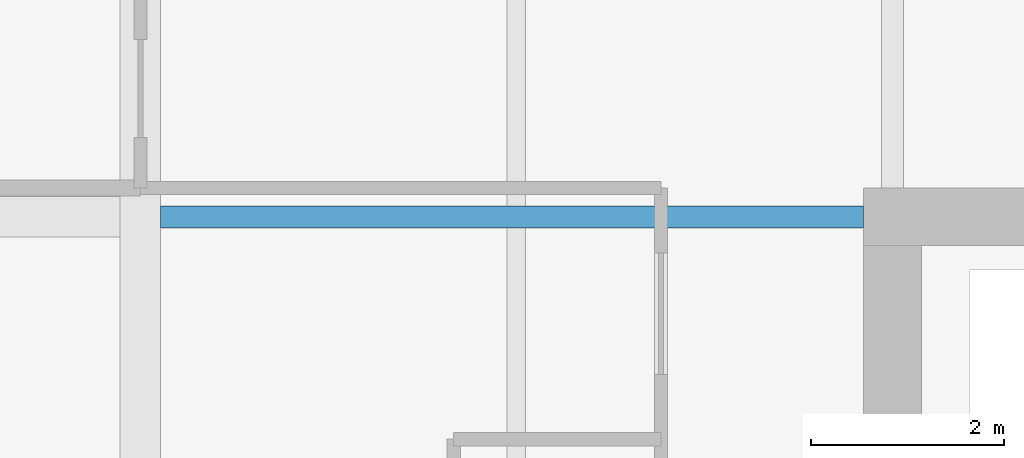
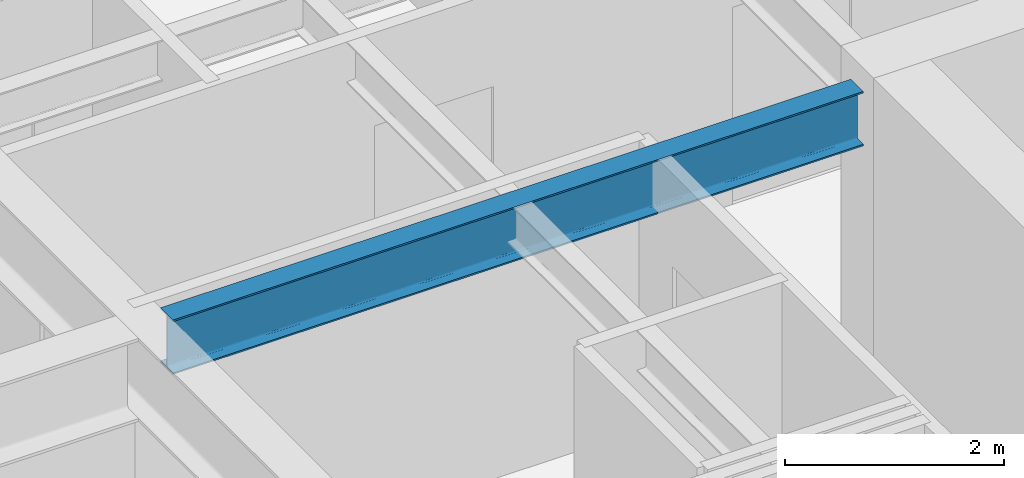
# One storey, part 18 of 38: 1 beam.
"""IFC4 building model written with IfcOpenShell, lengths in metres."""

import ifcopenshell
import ifcopenshell.guid

model = None  # the IFC model being written
_history = None  # IfcOwnerHistory: only IFC2X3 demands one
_inside = {}  # id of a spatial element -> (the spatial element, [elements in it])
_under = {}  # id of a project, library or spatial element -> (it, [spatial elements below it])
_declared = {}  # id of a project -> (the project, [libraries it declares])
_typed = {}  # id of a type object -> (the type object, [elements of that type])
_made_of = {}  # id of a material, layer set ... -> (it, [elements and type objects made of it])


def new_model(schema):
    """Start an empty IFC model of exactly this schema.

    Asked for "IFC4X3", IfcOpenShell would pick the latest addendum, in which some entities
    have other attributes; the version numbers below select the first issue.
    IFC2X3 requires an IfcOwnerHistory on every rooted entity: one is made here for all.
    """
    global model, _history
    if schema == "IFC4X3":
        model = ifcopenshell.file(schema_version=(4, 3, 0, 0))
    else:
        model = ifcopenshell.file(schema=schema)
    _inside.clear()
    _under.clear()
    _declared.clear()
    _typed.clear()
    _made_of.clear()
    _history = None
    if model.schema == "IFC2X3":
        org = make("IfcOrganization", Name="unknown")
        user = make(
            "IfcPersonAndOrganization",
            ThePerson=make("IfcPerson", FamilyName="unknown"),
            TheOrganization=org,
        )
        app = make(
            "IfcApplication",
            ApplicationDeveloper=org,
            Version="unknown",
            ApplicationFullName="unknown",
            ApplicationIdentifier="unknown",
        )
        _history = make(
            "IfcOwnerHistory",
            OwningUser=user,
            OwningApplication=app,
            ChangeAction="ADDED",
            CreationDate=0,
        )
    return model


def make(cls, **values):
    """One entity of the class cls with the attributes given. An attribute that is None is left unset."""
    return model.create_entity(
        cls, **{name: value for name, value in values.items() if value is not None}
    )


def rooted(cls, **values):
    """An entity with a GlobalId (a new one), such as an element, a storey or a relation."""
    return make(cls, GlobalId=ifcopenshell.guid.new(), OwnerHistory=_history, **values)


def si_unit(unit_type, name, prefix=None):
    """IfcSIUnit, for example si_unit("LENGTHUNIT", "METRE", prefix="MILLI")."""
    return make("IfcSIUnit", UnitType=unit_type, Prefix=prefix, Name=name)


def assignment(units):
    """IfcUnitAssignment: the units of a project."""
    return None if units is None else make("IfcUnitAssignment", Units=units)


def point(xyz):
    """IfcCartesianPoint."""
    return None if xyz is None else make("IfcCartesianPoint", Coordinates=xyz)


def direction(xyz):
    """IfcDirection."""
    return None if xyz is None else make("IfcDirection", DirectionRatios=xyz)


def frame(location, z_axis=None, x_axis=None):
    """IfcAxis2Placement3D, a coordinate frame: its origin and axes. An axis left out is left unset."""
    return make(
        "IfcAxis2Placement3D",
        Location=point(location),
        Axis=direction(z_axis),
        RefDirection=direction(x_axis),
    )


def frame_2d(location, x_axis=None):
    """IfcAxis2Placement2D, a coordinate frame in the plane: its origin and x axis."""
    return make(
        "IfcAxis2Placement2D", Location=point(location), RefDirection=direction(x_axis)
    )


def origin():
    """The frame at (0, 0, 0) with its axes left unset."""
    return frame((0.0, 0.0, 0.0))


def origin_2d():
    """The frame at (0, 0) in the plane with its x axis left unset."""
    return frame_2d((0.0, 0.0))


def place(relative_to, where):
    """IfcLocalPlacement: puts the frame where relative to a parent placement (None: the world)."""
    return make(
        "IfcLocalPlacement", PlacementRelTo=relative_to, RelativePlacement=where
    )


def context(
    kind, dimensions, precision=None, world=None, true_north=None, identifier=None
):
    """IfcGeometricRepresentationContext, for example the 3D "Model" context."""
    return make(
        "IfcGeometricRepresentationContext",
        ContextIdentifier=identifier,
        ContextType=kind,
        CoordinateSpaceDimension=dimensions,
        Precision=precision,
        WorldCoordinateSystem=world,
        TrueNorth=true_north,
    )


def subcontext(parent, identifier, kind, view, scale=None):
    """IfcGeometricRepresentationSubContext, for example "Body" below "Model"."""
    return make(
        "IfcGeometricRepresentationSubContext",
        ContextIdentifier=identifier,
        ContextType=kind,
        ParentContext=parent,
        TargetScale=scale,
        TargetView=view,
    )


def project(units=None, contexts=None):
    """IfcProject with its units and contexts."""
    return rooted(
        "IfcProject",
        Name="project",
        RepresentationContexts=contexts,
        UnitsInContext=assignment(units),
    )


def spatial(cls, under=None, at=None, **own):
    """A site, building, storey or space (cls), placed at a placement, below another one or the project."""
    s = rooted(cls, ObjectPlacement=at, **own)
    if under is not None:
        _under.setdefault(under.id(), (under, []))[1].append(s)
    return s


def profile(cls, at=None, kind="AREA", **sizes):
    """A parametric profile (cls). Its sizes go by their IFC names, for example OverallWidth=200.0."""
    return make(cls, ProfileType=kind, Position=at, **sizes)


def i_section(**sizes):
    """IfcIShapeProfileDef."""
    return profile("IfcIShapeProfileDef", **sizes)


def extrude(swept, where, along, depth):
    """IfcExtrudedAreaSolid: the profile swept, set in the frame where, extruded along a direction by depth."""
    return make(
        "IfcExtrudedAreaSolid",
        SweptArea=swept,
        Position=where,
        ExtrudedDirection=direction(along),
        Depth=depth,
    )


def shape(context_of_items, identifier, shape_type, items):
    """IfcShapeRepresentation: the items that make up one representation, for example the "Body"."""
    return make(
        "IfcShapeRepresentation",
        ContextOfItems=context_of_items,
        RepresentationIdentifier=identifier,
        RepresentationType=shape_type,
        Items=items,
    )


def material(Name=None, Category=None):
    """IfcMaterial."""
    return make("IfcMaterial", Name=Name, Category=Category)


def material_profile(
    of_material, cross_section, Name=None, Category=None, Priority=None
):
    """IfcMaterialProfile: a cross section and its material."""
    return make(
        "IfcMaterialProfile",
        Name=Name,
        Material=of_material,
        Profile=cross_section,
        Priority=Priority,
        Category=Category,
    )


def profile_set(profiles, Name=None, composite=None):
    """IfcMaterialProfileSet."""
    return make(
        "IfcMaterialProfileSet",
        Name=Name,
        MaterialProfiles=profiles,
        CompositeProfile=composite,
    )


def made_of(thing, what):
    """Note that an element or type object is made of a material, layer set ...; save() writes the relation."""
    if what is not None:
        _made_of.setdefault(what.id(), (what, []))[1].append(thing)
    return thing


def type_object(cls, material=None, **own):
    """A type object (cls), such as IfcWallType, which elements share."""
    return made_of(rooted(cls, **own), material)


def element(
    cls,
    number,
    at=None,
    inside=None,
    cuts=None,
    type_object=None,
    material=None,
    context=None,
    identifier="Body",
    shape_type=None,
    held_by="IfcProductDefinitionShape",
    body=None,
    shapes=None,
    **own,
):
    """One element of the class cls, such as IfcWall. Its Tag is "e" and its number.

    at: its placement. inside: the storey or other place that contains it. cuts: it is an
    opening in that element (IfcRelVoidsElement). A single representation is given by context,
    identifier, shape_type and body (its items); several are given by shapes. held_by: the class
    of the entity that holds the representations. save() writes the other relations.
    """
    e = rooted(cls, Tag="e%d" % number, ObjectPlacement=at, **own)
    if body is not None:
        shapes = [shape(context, identifier, shape_type, body)]
    if shapes is not None:
        e.Representation = make(held_by, Representations=shapes)
    if inside is not None:
        _inside.setdefault(inside.id(), (inside, []))[1].append(e)
    if cuts is not None:
        rooted(
            "IfcRelVoidsElement", RelatingBuildingElement=cuts, RelatedOpeningElement=e
        )
    if type_object is not None:
        _typed.setdefault(type_object.id(), (type_object, []))[1].append(e)
    return made_of(e, material)


def aggregate(whole, parts):
    """IfcRelAggregates: a whole, such as a stair, and the parts it consists of."""
    return rooted("IfcRelAggregates", RelatingObject=whole, RelatedObjects=parts)


def save(model, path):
    """Write the relations noted so far, then the file.

    IfcRelAggregates (storeys below a building ...), IfcRelContainedInSpatialStructure (elements
    in a storey), IfcRelDefinesByType, IfcRelAssociatesMaterial and IfcRelDeclares: one each for
    every whole, place, type object, material and project.
    """
    for whole, parts in _under.values():
        aggregate(whole, parts)
    for where, things in _inside.values():
        rooted(
            "IfcRelContainedInSpatialStructure",
            RelatedElements=things,
            RelatingStructure=where,
        )
    for kind, things in _typed.values():
        rooted("IfcRelDefinesByType", RelatedObjects=things, RelatingType=kind)
    for what, things in _made_of.values():
        rooted("IfcRelAssociatesMaterial", RelatedObjects=things, RelatingMaterial=what)
    for by, libraries in _declared.values():
        rooted("IfcRelDeclares", RelatingContext=by, RelatedDefinitions=libraries)
    model.write(path)


model = new_model("IFC4")

# Units and contexts
model_context = context("Model", 3, precision=1e-05, world=origin(), true_north=direction((0.0, 1.0)))
body_context = subcontext(model_context, "Body", "Model", "MODEL_VIEW")
ifc_project = project(units=[si_unit("LENGTHUNIT", "METRE"), si_unit("AREAUNIT", "SQUARE_METRE"), si_unit("VOLUMEUNIT", "CUBIC_METRE"), si_unit("PLANEANGLEUNIT", "RADIAN"), si_unit("MASSUNIT", "GRAM", prefix="KILO")], contexts=[model_context])

# Site, building, storey
site_placement = place(None, origin())
site = spatial("IfcSite", under=ifc_project, at=site_placement, CompositionType="ELEMENT")
building_placement = place(site_placement, origin())
building = spatial("IfcBuilding", under=site, at=building_placement, Name="Drelvath Grand Hotel", CompositionType="ELEMENT")
storey_placement = place(building_placement, frame((0.0, 0.0, 57.699951171875)))
storey = spatial("IfcBuildingStorey", under=building, at=storey_placement, Name="L13", CompositionType="ELEMENT", Elevation=57.699951171875)

# Beam
ifc_material = material(Name="Steel ASTM A992 Gr 50", Category="steel")
ifc_material_profile = material_profile(ifc_material, i_section(OverallWidth=0.228271484375, OverallDepth=0.607666015625, WebThickness=0.01123046875, FlangeThickness=0.017333984375, FilletRadius=0.02001953125, at=origin_2d()), Name="W24X76")
ifc_profile_set = profile_set([ifc_material_profile], Name="Steel ASTM A992 Gr 50")
beam_type = type_object("IfcBeamType", Name="Primary Floor Girder W24X76", PredefinedType="BEAM", material=ifc_profile_set)
beam_placement = place(storey_placement, frame((-15.99072265625, 35.39990234375, 2.936279296875), z_axis=(1.0, 0.0, 0.0), x_axis=(0.0, 1.0, 0.0)))
element("IfcBeam", 1, at=beam_placement, inside=storey, type_object=beam_type, Name="L13 West Core Tie F", PredefinedType="BEAM", context=body_context, shape_type="SweptSolid", body=[
    extrude(i_section(OverallWidth=0.228271484375, OverallDepth=0.607666015625, WebThickness=0.01123046875, FlangeThickness=0.017333984375, FilletRadius=0.02001953125, at=origin_2d()), origin(), (0.0, 0.0, 1.0), 7.290771484375),
])

save(model, "model.ifc")
